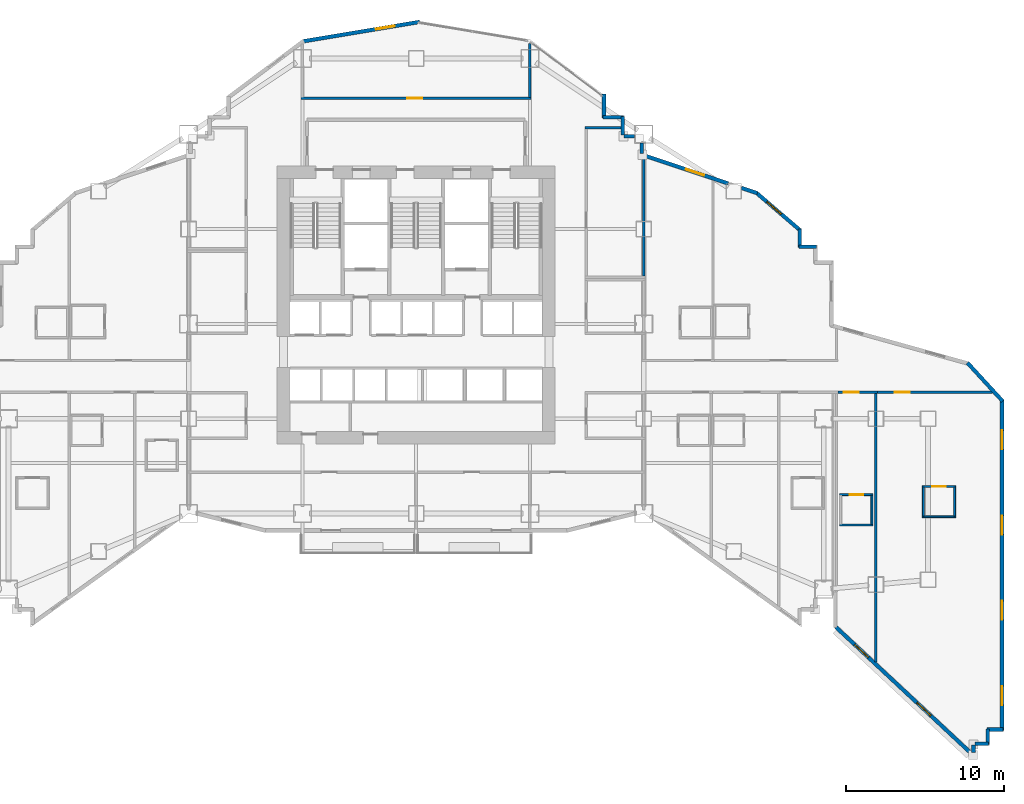
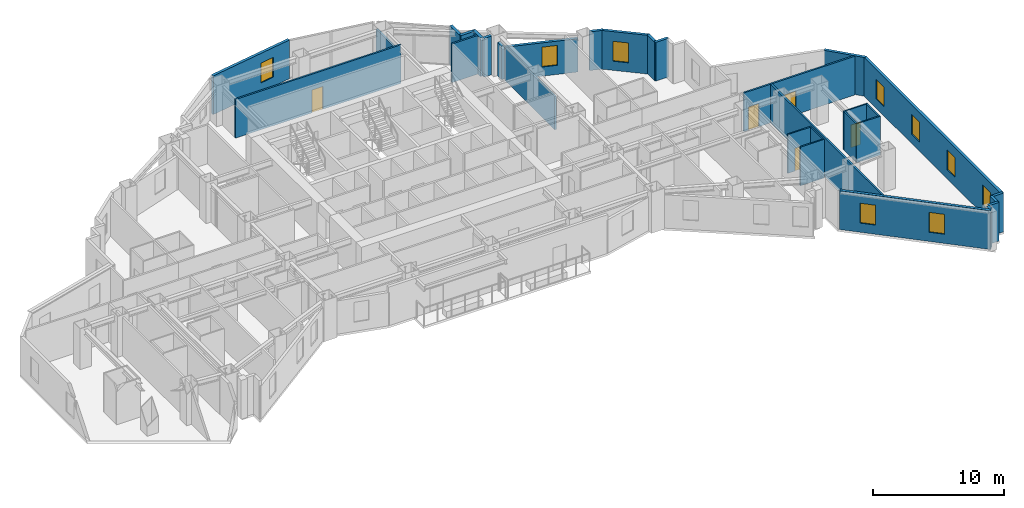
# One storey, part 12 of 16: 32 walls, 9 windows, 5 doors, 14 openings.
"""IFC4 building model written with IfcOpenShell, lengths in metres."""

import ifcopenshell
import ifcopenshell.guid

model = None  # the IFC model being written
_history = None  # IfcOwnerHistory: only IFC2X3 demands one
_inside = {}  # id of a spatial element -> (the spatial element, [elements in it])
_under = {}  # id of a project, library or spatial element -> (it, [spatial elements below it])
_declared = {}  # id of a project -> (the project, [libraries it declares])
_typed = {}  # id of a type object -> (the type object, [elements of that type])
_made_of = {}  # id of a material, layer set ... -> (it, [elements and type objects made of it])


def new_model(schema):
    """Start an empty IFC model of exactly this schema.

    Asked for "IFC4X3", IfcOpenShell would pick the latest addendum, in which some entities
    have other attributes; the version numbers below select the first issue.
    IFC2X3 requires an IfcOwnerHistory on every rooted entity: one is made here for all.
    """
    global model, _history
    if schema == "IFC4X3":
        model = ifcopenshell.file(schema_version=(4, 3, 0, 0))
    else:
        model = ifcopenshell.file(schema=schema)
    _inside.clear()
    _under.clear()
    _declared.clear()
    _typed.clear()
    _made_of.clear()
    _history = None
    if model.schema == "IFC2X3":
        org = make("IfcOrganization", Name="unknown")
        user = make(
            "IfcPersonAndOrganization",
            ThePerson=make("IfcPerson", FamilyName="unknown"),
            TheOrganization=org,
        )
        app = make(
            "IfcApplication",
            ApplicationDeveloper=org,
            Version="unknown",
            ApplicationFullName="unknown",
            ApplicationIdentifier="unknown",
        )
        _history = make(
            "IfcOwnerHistory",
            OwningUser=user,
            OwningApplication=app,
            ChangeAction="ADDED",
            CreationDate=0,
        )
    return model


def make(cls, **values):
    """One entity of the class cls with the attributes given. An attribute that is None is left unset."""
    return model.create_entity(
        cls, **{name: value for name, value in values.items() if value is not None}
    )


def rooted(cls, **values):
    """An entity with a GlobalId (a new one), such as an element, a storey or a relation."""
    return make(cls, GlobalId=ifcopenshell.guid.new(), OwnerHistory=_history, **values)


def si_unit(unit_type, name, prefix=None):
    """IfcSIUnit, for example si_unit("LENGTHUNIT", "METRE", prefix="MILLI")."""
    return make("IfcSIUnit", UnitType=unit_type, Prefix=prefix, Name=name)


def assignment(units):
    """IfcUnitAssignment: the units of a project."""
    return None if units is None else make("IfcUnitAssignment", Units=units)


def point(xyz):
    """IfcCartesianPoint."""
    return None if xyz is None else make("IfcCartesianPoint", Coordinates=xyz)


def direction(xyz):
    """IfcDirection."""
    return None if xyz is None else make("IfcDirection", DirectionRatios=xyz)


def frame(location, z_axis=None, x_axis=None):
    """IfcAxis2Placement3D, a coordinate frame: its origin and axes. An axis left out is left unset."""
    return make(
        "IfcAxis2Placement3D",
        Location=point(location),
        Axis=direction(z_axis),
        RefDirection=direction(x_axis),
    )


def frame_2d(location, x_axis=None):
    """IfcAxis2Placement2D, a coordinate frame in the plane: its origin and x axis."""
    return make(
        "IfcAxis2Placement2D", Location=point(location), RefDirection=direction(x_axis)
    )


def origin():
    """The frame at (0, 0, 0) with its axes left unset."""
    return frame((0.0, 0.0, 0.0))


def place(relative_to, where):
    """IfcLocalPlacement: puts the frame where relative to a parent placement (None: the world)."""
    return make(
        "IfcLocalPlacement", PlacementRelTo=relative_to, RelativePlacement=where
    )


def context(
    kind, dimensions, precision=None, world=None, true_north=None, identifier=None
):
    """IfcGeometricRepresentationContext, for example the 3D "Model" context."""
    return make(
        "IfcGeometricRepresentationContext",
        ContextIdentifier=identifier,
        ContextType=kind,
        CoordinateSpaceDimension=dimensions,
        Precision=precision,
        WorldCoordinateSystem=world,
        TrueNorth=true_north,
    )


def subcontext(parent, identifier, kind, view, scale=None):
    """IfcGeometricRepresentationSubContext, for example "Body" below "Model"."""
    return make(
        "IfcGeometricRepresentationSubContext",
        ContextIdentifier=identifier,
        ContextType=kind,
        ParentContext=parent,
        TargetScale=scale,
        TargetView=view,
    )


def project(units=None, contexts=None):
    """IfcProject with its units and contexts."""
    return rooted(
        "IfcProject",
        Name="project",
        RepresentationContexts=contexts,
        UnitsInContext=assignment(units),
    )


def spatial(cls, under=None, at=None, **own):
    """A site, building, storey or space (cls), placed at a placement, below another one or the project."""
    s = rooted(cls, ObjectPlacement=at, **own)
    if under is not None:
        _under.setdefault(under.id(), (under, []))[1].append(s)
    return s


def profile(cls, at=None, kind="AREA", **sizes):
    """A parametric profile (cls). Its sizes go by their IFC names, for example OverallWidth=200.0."""
    return make(cls, ProfileType=kind, Position=at, **sizes)


def rectangle(**sizes):
    """IfcRectangleProfileDef."""
    return profile("IfcRectangleProfileDef", **sizes)


def extrude(swept, where, along, depth):
    """IfcExtrudedAreaSolid: the profile swept, set in the frame where, extruded along a direction by depth."""
    return make(
        "IfcExtrudedAreaSolid",
        SweptArea=swept,
        Position=where,
        ExtrudedDirection=direction(along),
        Depth=depth,
    )


def shape(context_of_items, identifier, shape_type, items):
    """IfcShapeRepresentation: the items that make up one representation, for example the "Body"."""
    return make(
        "IfcShapeRepresentation",
        ContextOfItems=context_of_items,
        RepresentationIdentifier=identifier,
        RepresentationType=shape_type,
        Items=items,
    )


def material(Name=None, Category=None):
    """IfcMaterial."""
    return make("IfcMaterial", Name=Name, Category=Category)


def layer(
    of_material, thickness, ventilated=None, Name=None, Category=None, Priority=None
):
    """IfcMaterialLayer: one layer of a wall or slab, of a material (None: an air gap)."""
    return make(
        "IfcMaterialLayer",
        Material=of_material,
        LayerThickness=thickness,
        IsVentilated=ventilated,
        Name=Name,
        Category=Category,
        Priority=Priority,
    )


def layer_set(layers, Name=None):
    """IfcMaterialLayerSet."""
    return make("IfcMaterialLayerSet", MaterialLayers=layers, LayerSetName=Name)


def made_of(thing, what):
    """Note that an element or type object is made of a material, layer set ...; save() writes the relation."""
    if what is not None:
        _made_of.setdefault(what.id(), (what, []))[1].append(thing)
    return thing


def type_object(cls, material=None, **own):
    """A type object (cls), such as IfcWallType, which elements share."""
    return made_of(rooted(cls, **own), material)


def element(
    cls,
    number,
    at=None,
    inside=None,
    cuts=None,
    type_object=None,
    material=None,
    context=None,
    identifier="Body",
    shape_type=None,
    held_by="IfcProductDefinitionShape",
    body=None,
    shapes=None,
    **own,
):
    """One element of the class cls, such as IfcWall. Its Tag is "e" and its number.

    at: its placement. inside: the storey or other place that contains it. cuts: it is an
    opening in that element (IfcRelVoidsElement). A single representation is given by context,
    identifier, shape_type and body (its items); several are given by shapes. held_by: the class
    of the entity that holds the representations. save() writes the other relations.
    """
    e = rooted(cls, Tag="e%d" % number, ObjectPlacement=at, **own)
    if body is not None:
        shapes = [shape(context, identifier, shape_type, body)]
    if shapes is not None:
        e.Representation = make(held_by, Representations=shapes)
    if inside is not None:
        _inside.setdefault(inside.id(), (inside, []))[1].append(e)
    if cuts is not None:
        rooted(
            "IfcRelVoidsElement", RelatingBuildingElement=cuts, RelatedOpeningElement=e
        )
    if type_object is not None:
        _typed.setdefault(type_object.id(), (type_object, []))[1].append(e)
    return made_of(e, material)


def fill(opening, filler):
    """IfcRelFillsElement: the door or window that sits in an opening."""
    return rooted(
        "IfcRelFillsElement",
        RelatingOpeningElement=opening,
        RelatedBuildingElement=filler,
    )


def aggregate(whole, parts):
    """IfcRelAggregates: a whole, such as a stair, and the parts it consists of."""
    return rooted("IfcRelAggregates", RelatingObject=whole, RelatedObjects=parts)


def save(model, path):
    """Write the relations noted so far, then the file.

    IfcRelAggregates (storeys below a building ...), IfcRelContainedInSpatialStructure (elements
    in a storey), IfcRelDefinesByType, IfcRelAssociatesMaterial and IfcRelDeclares: one each for
    every whole, place, type object, material and project.
    """
    for whole, parts in _under.values():
        aggregate(whole, parts)
    for where, things in _inside.values():
        rooted(
            "IfcRelContainedInSpatialStructure",
            RelatedElements=things,
            RelatingStructure=where,
        )
    for kind, things in _typed.values():
        rooted("IfcRelDefinesByType", RelatedObjects=things, RelatingType=kind)
    for what, things in _made_of.values():
        rooted("IfcRelAssociatesMaterial", RelatedObjects=things, RelatingMaterial=what)
    for by, libraries in _declared.values():
        rooted("IfcRelDeclares", RelatingContext=by, RelatedDefinitions=libraries)
    model.write(path)


model = new_model("IFC4")

# Units and contexts
model_context = context("Model", 3, precision=1e-05, world=origin(), true_north=direction((0.0, 1.0)))
body_context = subcontext(model_context, "Body", "Model", "MODEL_VIEW")
ifc_project = project(units=[si_unit("LENGTHUNIT", "METRE"), si_unit("AREAUNIT", "SQUARE_METRE"), si_unit("VOLUMEUNIT", "CUBIC_METRE"), si_unit("PLANEANGLEUNIT", "RADIAN"), si_unit("MASSUNIT", "GRAM", prefix="KILO")], contexts=[model_context])

# Site, building, storey
site_placement = place(None, origin())
site = spatial("IfcSite", under=ifc_project, at=site_placement, CompositionType="ELEMENT")
building_placement = place(site_placement, origin())
building = spatial("IfcBuilding", under=site, at=building_placement, Name="Haolan Belvedere Tower", CompositionType="ELEMENT")
storey_placement = place(building_placement, frame((0.0, 0.0, 62.800048828125)))
storey = spatial("IfcBuildingStorey", under=building, at=storey_placement, Name="L15", CompositionType="ELEMENT", Elevation=62.800048828125)

# Wall, openings, windows
ifc_material_1 = material(Name="Precast concrete C40/50", Category="concrete")
ifc_layer_1 = layer(ifc_material_1, 0.239990234375, Name="Precast concrete C40/50")
ifc_layer_set_1 = layer_set([ifc_layer_1], Name="Precast concrete C40/50")
wall_type_1 = type_object("IfcWallType", Name="WL-EXT-240", PredefinedType="SOLIDWALL", material=ifc_layer_set_1)
wall_1_placement = place(storey_placement, frame((64.978515625, 14.3974609375, 0.0), z_axis=(0.0, 0.0, 1.0), x_axis=(0.731053894258, -0.682319722484, 0.0)))
wall_1 = element("IfcWall", 1, at=wall_1_placement, inside=storey, type_object=wall_type_1, Name="L15 pale-metal exterior spandrel wall 21.1", PredefinedType="SOLIDWALL", context=body_context, shape_type="SweptSolid", body=[
    extrude(rectangle(XDim=11.817626953125, YDim=0.239990234375, at=frame_2d((5.90869140625, 0.0))), origin(), (0.0, 0.0, 1.0), 3.599853515625),
])
opening_1_placement = place(wall_1_placement, frame((1.60009765625, 0.0, 0.85009765625)))
opening_1 = element("IfcOpeningElement", 2, at=opening_1_placement, cuts=wall_1, Name="Opening W-01", PredefinedType="OPENING", context=body_context, shape_type="SweptSolid", body=[
    extrude(rectangle(XDim=1.199951171875, YDim=1.85009765625, at=frame_2d((0.60009765625, 0.925048828125))), frame((0.0, 0.1298828125, 0.0), z_axis=(0.0, -1.0, 0.0), x_axis=(1.0, 0.0, 0.0)), (0.0, 0.0, 1.0), 0.260009765625),
])
opening_2_placement = place(wall_1_placement, frame((7.0, 0.0, 0.85009765625)))
opening_2 = element("IfcOpeningElement", 3, at=opening_2_placement, cuts=wall_1, Name="Opening W-01", PredefinedType="OPENING", context=body_context, shape_type="SweptSolid", body=[
    extrude(rectangle(XDim=1.199951171875, YDim=1.85009765625, at=frame_2d((0.60009765625, 0.925048828125))), frame((0.0, 0.1298828125, 0.0), z_axis=(0.0, -1.0, 0.0), x_axis=(1.0, 0.0, 0.0)), (0.0, 0.0, 1.0), 0.260009765625),
])
ifc_material_2 = material(Name="Anodised aluminium 6063-T6 and Low-E glass", Category="aluminium")
window_type = type_object("IfcWindowType", Name="WN-DECO-Z1", PartitioningType="SINGLE_PANEL", PredefinedType="WINDOW", material=ifc_material_2)
window_1_placement = place(opening_1_placement, origin())
window_1 = element("IfcWindow", 4, at=window_1_placement, inside=storey, type_object=window_type, Name="L15 Art Deco chevron window 1", OverallHeight=1.85009765625, OverallWidth=1.199951171875, PartitioningType="SINGLE_PANEL", PredefinedType="WINDOW", context=body_context, shape_type="SweptSolid", body=[
    extrude(rectangle(XDim=1.199951171875, YDim=1.85009765625, at=frame_2d((0.60009765625, 0.925048828125))), frame((0.0, 0.030029296875, 0.0), z_axis=(0.0, -1.0, 0.0), x_axis=(1.0, 0.0, 0.0)), (0.0, 0.0, 1.0), 0.06005859375),
])
fill(opening_1, window_1)
window_2_placement = place(opening_2_placement, origin())
window_2 = element("IfcWindow", 5, at=window_2_placement, inside=storey, type_object=window_type, Name="L15 Art Deco chevron window 2", OverallHeight=1.85009765625, OverallWidth=1.199951171875, PartitioningType="SINGLE_PANEL", PredefinedType="WINDOW", context=body_context, shape_type="SweptSolid", body=[
    extrude(rectangle(XDim=1.199951171875, YDim=1.85009765625, at=frame_2d((0.60009765625, 0.925048828125))), frame((0.0, 0.030029296875, 0.0), z_axis=(0.0, -1.0, 0.0), x_axis=(1.0, 0.0, 0.0)), (0.0, 0.0, 1.0), 0.06005859375),
])
fill(opening_2, window_2)

# Walls
wall_2_placement = place(storey_placement, frame((73.679931640625, 6.481201171875, 0.0), z_axis=(0.0, 0.0, 1.0), x_axis=(0.0, 1.0, 0.0)))
element("IfcWall", 6, at=wall_2_placement, inside=storey, type_object=wall_type_1, Name="L15 pale-metal exterior spandrel wall 22.1", PredefinedType="SOLIDWALL", context=body_context, shape_type="SweptSolid", body=[
    extrude(rectangle(XDim=0.453857421875, YDim=0.239990234375, at=frame_2d((0.22705078125, 0.0))), origin(), (0.0, 0.0, 1.0), 3.599853515625),
])
wall_3_placement = place(storey_placement, frame((73.764892578125, 7.02001953125, 0.0), z_axis=(0.0, 0.0, 1.0), x_axis=(1.0, 0.0, 0.0)))
element("IfcWall", 7, at=wall_3_placement, inside=storey, type_object=wall_type_1, Name="L15 pale-metal exterior spandrel wall 23.1", PredefinedType="SOLIDWALL", context=body_context, shape_type="SweptSolid", body=[
    extrude(rectangle(XDim=0.8701171875, YDim=0.239990234375, at=frame_2d((0.43505859375, 0.0))), origin(), (0.0, 0.0, 1.0), 3.599853515625),
])
for number, where, z_axis, x_axis, name in (
    (8, (74.580078125, 6.965087890625, 0.0), (0.0, 0.0, 1.0), (0.0, 1.0, 0.0), "L15 pale-metal exterior spandrel wall 24.1"),
    (9, (74.52490234375, 7.919921875, 0.0), (0.0, 0.0, 1.0), (1.0, 0.0, 0.0), "L15 pale-metal exterior spandrel wall 25.1"),
):
    element("IfcWall", number, at=place(storey_placement, frame(where, z_axis=z_axis, x_axis=x_axis)), inside=storey, type_object=wall_type_1, Name=name, PredefinedType="SOLIDWALL", context=body_context, shape_type="SweptSolid", body=[
        extrude(rectangle(XDim=1.010009765625, YDim=0.239990234375, at=frame_2d((0.5048828125, 0.0))), origin(), (0.0, 0.0, 1.0), 3.599853515625),
    ])

# Wall, openings, windows
wall_4_placement = place(storey_placement, frame((75.47998046875, 7.864990234375, 0.0), z_axis=(0.0, 0.0, 1.0), x_axis=(0.0, 1.0, 0.0)))
wall_4 = element("IfcWall", 10, at=wall_4_placement, inside=storey, type_object=wall_type_1, Name="L15 pale-metal exterior spandrel wall 26.1", PredefinedType="SOLIDWALL", context=body_context, shape_type="SweptSolid", body=[
    extrude(rectangle(XDim=20.943359375, YDim=0.239990234375, at=frame_2d((10.4716796875, 0.0))), origin(), (0.0, 0.0, 1.0), 3.599853515625),
])
opening_3_placement = place(wall_4_placement, frame((1.60009765625, 0.0, 0.85009765625)))
opening_3 = element("IfcOpeningElement", 11, at=opening_3_placement, cuts=wall_4, Name="Opening W-01", PredefinedType="OPENING", context=body_context, shape_type="SweptSolid", body=[
    extrude(rectangle(XDim=1.199951171875, YDim=1.85009765625, at=frame_2d((0.60009765625, 0.925048828125))), frame((0.0, 0.1298828125, 0.0), z_axis=(0.0, -1.0, 0.0), x_axis=(1.0, 0.0, 0.0)), (0.0, 0.0, 1.0), 0.260009765625),
])
opening_4_placement = place(wall_4_placement, frame((7.0, 0.0, 0.85009765625)))
opening_4 = element("IfcOpeningElement", 12, at=opening_4_placement, cuts=wall_4, Name="Opening W-01", PredefinedType="OPENING", context=body_context, shape_type="SweptSolid", body=[
    extrude(rectangle(XDim=1.199951171875, YDim=1.85009765625, at=frame_2d((0.60009765625, 0.925048828125))), frame((0.0, 0.1298828125, 0.0), z_axis=(0.0, -1.0, 0.0), x_axis=(1.0, 0.0, 0.0)), (0.0, 0.0, 1.0), 0.260009765625),
])
opening_5_placement = place(wall_4_placement, frame((12.39990234375, 0.0, 0.85009765625)))
opening_5 = element("IfcOpeningElement", 13, at=opening_5_placement, cuts=wall_4, Name="Opening W-01", PredefinedType="OPENING", context=body_context, shape_type="SweptSolid", body=[
    extrude(rectangle(XDim=1.199951171875, YDim=1.85009765625, at=frame_2d((0.60009765625, 0.925048828125))), frame((0.0, 0.1298828125, 0.0), z_axis=(0.0, -1.0, 0.0), x_axis=(1.0, 0.0, 0.0)), (0.0, 0.0, 1.0), 0.260009765625),
])
opening_6_placement = place(wall_4_placement, frame((17.800048828125, 0.0, 0.85009765625)))
opening_6 = element("IfcOpeningElement", 14, at=opening_6_placement, cuts=wall_4, Name="Opening W-01", PredefinedType="OPENING", context=body_context, shape_type="SweptSolid", body=[
    extrude(rectangle(XDim=1.199951171875, YDim=1.85009765625, at=frame_2d((0.60009765625, 0.925048828125))), frame((0.0, 0.1298828125, 0.0), z_axis=(0.0, -1.0, 0.0), x_axis=(1.0, 0.0, 0.0)), (0.0, 0.0, 1.0), 0.260009765625),
])
window_3_placement = place(opening_3_placement, origin())
window_3 = element("IfcWindow", 15, at=window_3_placement, inside=storey, type_object=window_type, Name="L15 Art Deco chevron window 1", OverallHeight=1.85009765625, OverallWidth=1.199951171875, PartitioningType="SINGLE_PANEL", PredefinedType="WINDOW", context=body_context, shape_type="SweptSolid", body=[
    extrude(rectangle(XDim=1.199951171875, YDim=1.85009765625, at=frame_2d((0.60009765625, 0.925048828125))), frame((0.0, 0.030029296875, 0.0), z_axis=(0.0, -1.0, 0.0), x_axis=(1.0, 0.0, 0.0)), (0.0, 0.0, 1.0), 0.06005859375),
])
fill(opening_3, window_3)
window_4_placement = place(opening_4_placement, origin())
window_4 = element("IfcWindow", 16, at=window_4_placement, inside=storey, type_object=window_type, Name="L15 Art Deco chevron window 2", OverallHeight=1.85009765625, OverallWidth=1.199951171875, PartitioningType="SINGLE_PANEL", PredefinedType="WINDOW", context=body_context, shape_type="SweptSolid", body=[
    extrude(rectangle(XDim=1.199951171875, YDim=1.85009765625, at=frame_2d((0.60009765625, 0.925048828125))), frame((0.0, 0.030029296875, 0.0), z_axis=(0.0, -1.0, 0.0), x_axis=(1.0, 0.0, 0.0)), (0.0, 0.0, 1.0), 0.06005859375),
])
fill(opening_4, window_4)
window_5_placement = place(opening_5_placement, origin())
window_5 = element("IfcWindow", 17, at=window_5_placement, inside=storey, type_object=window_type, Name="L15 Art Deco chevron window 3", OverallHeight=1.85009765625, OverallWidth=1.199951171875, PartitioningType="SINGLE_PANEL", PredefinedType="WINDOW", context=body_context, shape_type="SweptSolid", body=[
    extrude(rectangle(XDim=1.199951171875, YDim=1.85009765625, at=frame_2d((0.60009765625, 0.925048828125))), frame((0.0, 0.030029296875, 0.0), z_axis=(0.0, -1.0, 0.0), x_axis=(1.0, 0.0, 0.0)), (0.0, 0.0, 1.0), 0.06005859375),
])
fill(opening_5, window_5)
window_6_placement = place(opening_6_placement, origin())
window_6 = element("IfcWindow", 18, at=window_6_placement, inside=storey, type_object=window_type, Name="L15 Art Deco chevron window 4", OverallHeight=1.85009765625, OverallWidth=1.199951171875, PartitioningType="SINGLE_PANEL", PredefinedType="WINDOW", context=body_context, shape_type="SweptSolid", body=[
    extrude(rectangle(XDim=1.199951171875, YDim=1.85009765625, at=frame_2d((0.60009765625, 0.925048828125))), frame((0.0, 0.030029296875, 0.0), z_axis=(0.0, -1.0, 0.0), x_axis=(1.0, 0.0, 0.0)), (0.0, 0.0, 1.0), 0.06005859375),
])
fill(opening_6, window_6)

# Walls
wall_5_placement = place(storey_placement, frame((75.51708984375, 28.712890625, 0.0), z_axis=(0.0, 0.0, 1.0), x_axis=(-0.67574145796, 0.737138712858, 0.0)))
element("IfcWall", 19, at=wall_5_placement, inside=storey, type_object=wall_type_1, Name="L15 pale-metal exterior spandrel wall 27.1", PredefinedType="SOLIDWALL", context=body_context, shape_type="SweptSolid", body=[
    extrude(rectangle(XDim=3.284423828125, YDim=0.239990234375, at=frame_2d((1.64208984375, 0.0))), origin(), (0.0, 0.0, 1.0), 3.599853515625),
])
wall_6_placement = place(storey_placement, frame((63.735107421875, 38.47998046875, 0.0), z_axis=(0.0, 0.0, 1.0), x_axis=(-1.0, 0.0, 0.0)))
element("IfcWall", 20, at=wall_6_placement, inside=storey, type_object=wall_type_1, Name="L15 pale-metal exterior spandrel wall 32.1", PredefinedType="SOLIDWALL", context=body_context, shape_type="SweptSolid", body=[
    extrude(rectangle(XDim=1.110107421875, YDim=0.239990234375, at=frame_2d((0.55517578125, 0.0))), origin(), (0.0, 0.0, 1.0), 3.599853515625),
])
wall_7_placement = place(storey_placement, frame((62.679931640625, 38.425048828125, 0.0), z_axis=(0.0, 0.0, 1.0), x_axis=(0.0, 1.0, 0.0)))
element("IfcWall", 21, at=wall_7_placement, inside=storey, type_object=wall_type_1, Name="L15 pale-metal exterior spandrel wall 33.1", PredefinedType="SOLIDWALL", context=body_context, shape_type="SweptSolid", body=[
    extrude(rectangle(XDim=1.1748046875, YDim=0.239990234375, at=frame_2d((0.58740234375, 0.0))), origin(), (0.0, 0.0, 1.0), 3.599853515625),
])

# Wall, opening, window
wall_8_placement = place(storey_placement, frame((62.7216796875, 39.509033203125, 0.0), z_axis=(0.0, 0.0, 1.0), x_axis=(-0.759247334792, 0.650802185469, 0.0)))
wall_8 = element("IfcWall", 22, at=wall_8_placement, inside=storey, type_object=wall_type_1, Name="L15 pale-metal exterior spandrel wall 34.1", PredefinedType="SOLIDWALL", context=body_context, shape_type="SweptSolid", body=[
    extrude(rectangle(XDim=3.71923828125, YDim=0.239990234375, at=frame_2d((1.859619140625, 0.0))), origin(), (0.0, 0.0, 1.0), 3.599853515625),
])
opening_7_placement = place(wall_8_placement, frame((1.60009765625, 0.0, 0.85009765625)))
opening_7 = element("IfcOpeningElement", 23, at=opening_7_placement, cuts=wall_8, Name="Opening W-01", PredefinedType="OPENING", context=body_context, shape_type="SweptSolid", body=[
    extrude(rectangle(XDim=1.199951171875, YDim=1.85009765625, at=frame_2d((0.60009765625, 0.925048828125))), frame((0.0, 0.1298828125, 0.0), z_axis=(0.0, -1.0, 0.0), x_axis=(1.0, 0.0, 0.0)), (0.0, 0.0, 1.0), 0.260009765625),
])
window_7_placement = place(opening_7_placement, origin())
window_7 = element("IfcWindow", 24, at=window_7_placement, inside=storey, type_object=window_type, Name="L15 Art Deco chevron window 1", OverallHeight=1.85009765625, OverallWidth=1.199951171875, PartitioningType="SINGLE_PANEL", PredefinedType="WINDOW", context=body_context, shape_type="SweptSolid", body=[
    extrude(rectangle(XDim=1.199951171875, YDim=1.85009765625, at=frame_2d((0.60009765625, 0.925048828125))), frame((0.0, 0.030029296875, 0.0), z_axis=(0.0, -1.0, 0.0), x_axis=(1.0, 0.0, 0.0)), (0.0, 0.0, 1.0), 0.06005859375),
])
fill(opening_7, window_7)

# Wall
wall_9_placement = place(storey_placement, frame((59.991943359375, 41.876220703125, 0.0), z_axis=(0.0, 0.0, 1.0), x_axis=(-0.948706457285, 0.316158279832, 0.0)))
element("IfcWall", 25, at=wall_9_placement, inside=storey, type_object=wall_type_1, Name="L15 pale-metal exterior spandrel wall 35.1", PredefinedType="SOLIDWALL", context=body_context, shape_type="SweptSolid", body=[
    extrude(rectangle(XDim=1.053955078125, YDim=0.239990234375, at=frame_2d((0.52685546875, 0.0))), origin(), (0.0, 0.0, 1.0), 3.599853515625),
])

# Wall, opening, window
wall_10_placement = place(storey_placement, frame((58.14453125, 42.491943359375, 0.0), z_axis=(0.0, 0.0, 1.0), x_axis=(-0.948683298051, 0.316227766017, 0.0)))
wall_10 = element("IfcWall", 26, at=wall_10_placement, inside=storey, type_object=wall_type_1, Name="L15 pale-metal exterior spandrel wall 35.2", PredefinedType="SOLIDWALL", context=body_context, shape_type="SweptSolid", body=[
    extrude(rectangle(XDim=5.67529296875, YDim=0.239990234375, at=frame_2d((2.837646484375, 0.0))), origin(), (0.0, 0.0, 1.0), 3.096923828125),
])
opening_8_placement = place(wall_10_placement, frame((1.60009765625, 0.0, 0.85009765625)))
opening_8 = element("IfcOpeningElement", 27, at=opening_8_placement, cuts=wall_10, Name="Opening W-01", PredefinedType="OPENING", context=body_context, shape_type="SweptSolid", body=[
    extrude(rectangle(XDim=1.199951171875, YDim=1.85009765625, at=frame_2d((0.60009765625, 0.925048828125))), frame((0.0, 0.1298828125, 0.0), z_axis=(0.0, -1.0, 0.0), x_axis=(1.0, 0.0, 0.0)), (0.0, 0.0, 1.0), 0.260009765625),
])
window_8_placement = place(opening_8_placement, origin())
window_8 = element("IfcWindow", 28, at=window_8_placement, inside=storey, type_object=window_type, Name="L15 Art Deco chevron window 1", OverallHeight=1.85009765625, OverallWidth=1.199951171875, PartitioningType="SINGLE_PANEL", PredefinedType="WINDOW", context=body_context, shape_type="SweptSolid", body=[
    extrude(rectangle(XDim=1.199951171875, YDim=1.85009765625, at=frame_2d((0.60009765625, 0.925048828125))), frame((0.0, 0.030029296875, 0.0), z_axis=(0.0, -1.0, 0.0), x_axis=(1.0, 0.0, 0.0)), (0.0, 0.0, 1.0), 0.06005859375),
])
fill(opening_8, window_8)

# Walls
wall_11_placement = place(storey_placement, frame((52.679931640625, 44.3984375, 0.0), z_axis=(0.0, 0.0, 1.0), x_axis=(0.0, 1.0, 0.0)))
element("IfcWall", 29, at=wall_11_placement, inside=storey, type_object=wall_type_1, Name="L15 pale-metal exterior spandrel wall 36.1", PredefinedType="SOLIDWALL", context=body_context, shape_type="SweptSolid", body=[
    extrude(rectangle(XDim=0.634521484375, YDim=0.239990234375, at=frame_2d((0.3173828125, 0.0))), origin(), (0.0, 0.0, 1.0), 3.096923828125),
])
wall_12_placement = place(storey_placement, frame((52.23291015625, 45.47998046875, 0.0), z_axis=(0.0, 0.0, 1.0), x_axis=(-1.0, 0.0, 0.0)))
element("IfcWall", 30, at=wall_12_placement, inside=storey, type_object=wall_type_1, Name="L15 pale-metal exterior spandrel wall 37.1", PredefinedType="SOLIDWALL", context=body_context, shape_type="SweptSolid", body=[
    extrude(rectangle(XDim=0.66796875, YDim=0.239990234375, at=frame_2d((0.333984375, 0.0))), origin(), (0.0, 0.0, 1.0), 3.599853515625),
])
wall_13_placement = place(storey_placement, frame((51.47998046875, 45.56494140625, 0.0), z_axis=(0.0, 0.0, 1.0), x_axis=(0.0, 1.0, 0.0)))
element("IfcWall", 31, at=wall_13_placement, inside=storey, type_object=wall_type_1, Name="L15 pale-metal exterior spandrel wall 38.1", PredefinedType="SOLIDWALL", context=body_context, shape_type="SweptSolid", body=[
    extrude(rectangle(XDim=1.170166015625, YDim=0.239990234375, at=frame_2d((0.5849609375, 0.0))), origin(), (0.0, 0.0, 1.0), 3.599853515625),
])
wall_14_placement = place(storey_placement, frame((51.534912109375, 46.679931640625, 0.0), z_axis=(0.0, 0.0, 1.0), x_axis=(-1.0, 0.0, 0.0)))
element("IfcWall", 32, at=wall_14_placement, inside=storey, type_object=wall_type_1, Name="L15 pale-metal exterior spandrel wall 39.1", PredefinedType="SOLIDWALL", context=body_context, shape_type="SweptSolid", body=[
    extrude(rectangle(XDim=1.309814453125, YDim=0.239990234375, at=frame_2d((0.65478515625, 0.0))), origin(), (0.0, 0.0, 1.0), 3.599853515625),
])
wall_15_placement = place(storey_placement, frame((50.280029296875, 46.625, 0.0), z_axis=(0.0, 0.0, 1.0), x_axis=(0.0, 1.0, 0.0)))
element("IfcWall", 33, at=wall_15_placement, inside=storey, type_object=wall_type_1, Name="L15 pale-metal exterior spandrel wall 40.1", PredefinedType="SOLIDWALL", context=body_context, shape_type="SweptSolid", body=[
    extrude(rectangle(XDim=1.5400390625, YDim=0.239990234375, at=frame_2d((0.77001953125, 0.0))), origin(), (0.0, 0.0, 1.0), 3.599853515625),
])

# Wall, opening, window
wall_16_placement = place(storey_placement, frame((38.621826171875, 52.71533203125, 0.0), z_axis=(0.0, 0.0, 1.0), x_axis=(-0.98639129485, -0.164414760418, 0.0)))
wall_16 = element("IfcWall", 34, at=wall_16_placement, inside=storey, type_object=wall_type_1, Name="L15 pale-metal exterior spandrel wall 43.1", PredefinedType="SOLIDWALL", context=body_context, shape_type="SweptSolid", body=[
    extrude(rectangle(XDim=7.530029296875, YDim=0.239990234375, at=frame_2d((3.76513671875, 0.0))), origin(), (0.0, 0.0, 1.0), 3.599853515625),
])
opening_9_placement = place(wall_16_placement, frame((1.60009765625, 0.0, 0.85009765625)))
opening_9 = element("IfcOpeningElement", 35, at=opening_9_placement, cuts=wall_16, Name="Opening W-01", PredefinedType="OPENING", context=body_context, shape_type="SweptSolid", body=[
    extrude(rectangle(XDim=1.199951171875, YDim=1.85009765625, at=frame_2d((0.60009765625, 0.925048828125))), frame((0.0, 0.1298828125, 0.0), z_axis=(0.0, -1.0, 0.0), x_axis=(1.0, 0.0, 0.0)), (0.0, 0.0, 1.0), 0.260009765625),
])
window_9_placement = place(opening_9_placement, origin())
window_9 = element("IfcWindow", 36, at=window_9_placement, inside=storey, type_object=window_type, Name="L15 Art Deco chevron window 1", OverallHeight=1.85009765625, OverallWidth=1.199951171875, PartitioningType="SINGLE_PANEL", PredefinedType="WINDOW", context=body_context, shape_type="SweptSolid", body=[
    extrude(rectangle(XDim=1.199951171875, YDim=1.85009765625, at=frame_2d((0.60009765625, 0.925048828125))), frame((0.0, 0.030029296875, 0.0), z_axis=(0.0, -1.0, 0.0), x_axis=(1.0, 0.0, 0.0)), (0.0, 0.0, 1.0), 0.06005859375),
])
fill(opening_9, window_9)

# Walls
ifc_material_3 = material(Name="Double gypsum acoustic stud partition", Category="masonry")
ifc_layer_2 = layer(ifc_material_3, 0.14990234375, Name="Double gypsum acoustic stud partition")
ifc_layer_set_2 = layer_set([ifc_layer_2], Name="Double gypsum acoustic stud partition")
wall_type_2 = type_object("IfcWallType", Name="WL-PART-150", PredefinedType="PARTITIONING", material=ifc_layer_set_2)
wall_17_placement = place(storey_placement, frame((49.080078125, 46.02001953125, 0.0), z_axis=(0.0, 0.0, 1.0), x_axis=(1.0, 0.0, 0.0)))
element("IfcWall", 37, at=wall_17_placement, inside=storey, type_object=wall_type_2, Name="L15 interior partition IW-L15-SAL-N", PredefinedType="PARTITIONING", context=body_context, shape_type="SweptSolid", body=[
    extrude(rectangle(XDim=2.294921875, YDim=0.14990234375, at=frame_2d((1.1474609375, 0.0))), origin(), (0.0, 0.0, 1.0), 3.599853515625),
])
wall_18_placement = place(storey_placement, frame((52.800048828125, 36.6201171875, 0.0), z_axis=(0.0, 0.0, 1.0), x_axis=(0.0, 1.0, 0.0)))
element("IfcWall", 38, at=wall_18_placement, inside=storey, type_object=wall_type_2, Name="L15 interior partition IW-L15-SAL-E", PredefinedType="PARTITIONING", context=body_context, shape_type="SweptSolid", body=[
    extrude(rectangle(XDim=7.542724609375, YDim=0.14990234375, at=frame_2d((3.771484375, 0.0))), origin(), (0.0, 0.0, 1.0), 3.096923828125),
])

# Wall, opening, door
wall_19_placement = place(storey_placement, frame((31.1201171875, 47.8798828125, 0.0), z_axis=(0.0, 0.0, 1.0), x_axis=(1.0, 0.0, 0.0)))
wall_19 = element("IfcWall", 39, at=wall_19_placement, inside=storey, type_object=wall_type_2, Name="L15 interior partition IW-L15-KN2-S", PredefinedType="PARTITIONING", context=body_context, shape_type="SweptSolid", body=[
    extrude(rectangle(XDim=14.559814453125, YDim=0.14990234375, at=frame_2d((7.27978515625, 0.0))), origin(), (0.0, 0.0, 1.0), 3.599853515625),
])
opening_10_placement = place(wall_19_placement, frame((6.72509765625, 0.0, 0.0)))
opening_10 = element("IfcOpeningElement", 40, at=opening_10_placement, cuts=wall_19, Name="Opening ID-03", PredefinedType="OPENING", context=body_context, shape_type="SweptSolid", body=[
    extrude(rectangle(XDim=0.949951171875, YDim=2.1201171875, at=frame_2d((0.47509765625, 1.06005859375))), frame((0.0, 0.0849609375, 0.0), z_axis=(0.0, -1.0, 0.0), x_axis=(1.0, 0.0, 0.0)), (0.0, 0.0, 1.0), 0.169921875),
])
ifc_material_4 = material(Name="Painted solid-core timber", Category="wood")
door_type_1 = type_object("IfcDoorType", Name="DR-INT-950", OperationType="NOTDEFINED", PredefinedType="DOOR", material=ifc_material_4)
door_1_placement = place(opening_10_placement, origin())
door_1 = element("IfcDoor", 41, at=door_1_placement, inside=storey, type_object=door_type_1, Name="L15 door ID-L15-KN2", OperationType="SINGLE_SWING_LEFT", OverallHeight=2.1201171875, OverallWidth=0.949951171875, PredefinedType="DOOR", context=body_context, shape_type="SweptSolid", body=[
    extrude(rectangle(XDim=0.949951171875, YDim=2.1201171875, at=frame_2d((0.47509765625, 1.06005859375))), frame((0.0, 0.02490234375, 0.0), z_axis=(0.0, -1.0, 0.0), x_axis=(1.0, 0.0, 0.0)), (0.0, 0.0, 1.0), 0.050048828125),
])
fill(opening_10, door_1)

# Wall
wall_20_placement = place(storey_placement, frame((45.60009765625, 47.93994140625, 0.0), z_axis=(0.0, 0.0, 1.0), x_axis=(0.0, 1.0, 0.0)))
element("IfcWall", 42, at=wall_20_placement, inside=storey, type_object=wall_type_2, Name="L15 interior partition IW-L15-KN2-E", PredefinedType="PARTITIONING", context=body_context, shape_type="SweptSolid", body=[
    extrude(rectangle(XDim=3.39501953125, YDim=0.14990234375, at=frame_2d((1.697509765625, 0.0))), origin(), (0.0, 0.0, 1.0), 2.98486328125),
])

# Wall, opening, door
wall_21_placement = place(storey_placement, frame((65.10205078125, 29.27001953125, 0.0), z_axis=(0.0, 0.0, 1.0), x_axis=(1.0, 0.0, 0.0)))
wall_21 = element("IfcWall", 43, at=wall_21_placement, inside=storey, type_object=wall_type_2, Name="L15 interior partition IW-L15-T5S1-N", PredefinedType="PARTITIONING", context=body_context, shape_type="SweptSolid", body=[
    extrude(rectangle(XDim=2.498046875, YDim=0.14990234375, at=frame_2d((1.2490234375, 0.0))), origin(), (0.0, 0.0, 1.0), 3.599853515625),
])
opening_11_placement = place(wall_21_placement, frame((1.311767578125, 0.0, 0.0), z_axis=(0.0, 0.0, 1.0), x_axis=(-1.0, 0.0, 0.0)))
opening_11 = element("IfcOpeningElement", 44, at=opening_11_placement, cuts=wall_21, Name="Opening ID-02", PredefinedType="OPENING", context=body_context, shape_type="SweptSolid", body=[
    extrude(rectangle(XDim=0.949951171875, YDim=2.14990234375, at=frame_2d((0.47509765625, 1.074951171875))), frame((0.0, 0.0849609375, 0.0), z_axis=(0.0, -1.0, 0.0), x_axis=(1.0, 0.0, 0.0)), (0.0, 0.0, 1.0), 0.169921875),
])
ifc_material_5 = material(Name="Acoustic oak veneer fire-rated timber", Category="wood")
door_type_2 = type_object("IfcDoorType", Name="DR-GUEST-950", OperationType="NOTDEFINED", PredefinedType="DOOR", material=ifc_material_5)
door_2_placement = place(opening_11_placement, origin())
door_2 = element("IfcDoor", 45, at=door_2_placement, inside=storey, type_object=door_type_2, Name="L15 door ID-L15-T5S1-ENT", OperationType="SINGLE_SWING_RIGHT", OverallHeight=2.14990234375, OverallWidth=0.949951171875, PredefinedType="DOOR", context=body_context, shape_type="SweptSolid", body=[
    extrude(rectangle(XDim=0.949951171875, YDim=2.14990234375, at=frame_2d((0.47509765625, 1.074951171875))), frame((0.0, 0.02490234375, 0.0), z_axis=(0.0, -1.0, 0.0), x_axis=(1.0, 0.0, 0.0)), (0.0, 0.0, 1.0), 0.050048828125),
])
fill(opening_11, door_2)

# Wall
wall_22_placement = place(storey_placement, frame((67.5, 12.187744140625, 0.0), z_axis=(0.0, 0.0, 1.0), x_axis=(0.0, 1.0, 0.0)))
element("IfcWall", 46, at=wall_22_placement, inside=storey, type_object=wall_type_2, Name="L15 interior partition IW-L15-T5S1-E", PredefinedType="PARTITIONING", context=body_context, shape_type="SweptSolid", body=[
    extrude(rectangle(XDim=17.022216796875, YDim=0.14990234375, at=frame_2d((8.51123046875, 0.0))), origin(), (0.0, 0.0, 1.0), 3.599853515625),
])

# Wall, opening, door
wall_23_placement = place(storey_placement, frame((67.60205078125, 29.27001953125, 0.0), z_axis=(0.0, 0.0, 1.0), x_axis=(1.0, 0.0, 0.0)))
wall_23 = element("IfcWall", 47, at=wall_23_placement, inside=storey, type_object=wall_type_2, Name="L15 interior partition IW-L15-T5S2-N", PredefinedType="PARTITIONING", context=body_context, shape_type="SweptSolid", body=[
    extrude(rectangle(XDim=7.261962890625, YDim=0.14990234375, at=frame_2d((3.630859375, 0.0))), origin(), (0.0, 0.0, 1.0), 3.599853515625),
])
opening_12_placement = place(wall_23_placement, frame((2.0439453125, 0.0, 0.0), z_axis=(0.0, 0.0, 1.0), x_axis=(-1.0, 0.0, 0.0)))
opening_12 = element("IfcOpeningElement", 48, at=opening_12_placement, cuts=wall_23, Name="Opening ID-01", PredefinedType="OPENING", context=body_context, shape_type="SweptSolid", body=[
    extrude(rectangle(XDim=0.949951171875, YDim=2.179931640625, at=frame_2d((0.47509765625, 1.08984375))), frame((0.0, 0.0849609375, 0.0), z_axis=(0.0, -1.0, 0.0), x_axis=(1.0, 0.0, 0.0)), (0.0, 0.0, 1.0), 0.169921875),
])
ifc_material_6 = material(Name="Acoustic walnut veneer fire-rated timber", Category="wood")
door_type_3 = type_object("IfcDoorType", Name="DR-SUITE-950", OperationType="NOTDEFINED", PredefinedType="DOOR", material=ifc_material_6)
door_3_placement = place(opening_12_placement, origin())
door_3 = element("IfcDoor", 49, at=door_3_placement, inside=storey, type_object=door_type_3, Name="L15 door ID-L15-T5S2-ENT", OperationType="SINGLE_SWING_LEFT", OverallHeight=2.179931640625, OverallWidth=0.949951171875, PredefinedType="DOOR", context=body_context, shape_type="SweptSolid", body=[
    extrude(rectangle(XDim=0.949951171875, YDim=2.179931640625, at=frame_2d((0.47509765625, 1.08984375))), frame((0.0, 0.02490234375, 0.0), z_axis=(0.0, -1.0, 0.0), x_axis=(1.0, 0.0, 0.0)), (0.0, 0.0, 1.0), 0.050048828125),
])
fill(opening_12, door_3)

ifc_material_7 = material(Name="Moisture-resistant gypsum tile partition", Category="masonry")
ifc_layer_3 = layer(ifc_material_7, 0.1201171875, Name="Moisture-resistant gypsum tile partition")
ifc_layer_set_3 = layer_set([ifc_layer_3], Name="Moisture-resistant gypsum tile partition")
wall_type_3 = type_object("IfcWallType", Name="WL-WET-120", PredefinedType="PARTITIONING", material=ifc_layer_set_3)
wall_24_placement = place(storey_placement, frame((65.20703125, 22.791015625, 0.0), z_axis=(0.0, 0.0, 1.0), x_axis=(1.0, 0.0, 0.0)))
wall_24 = element("IfcWall", 50, at=wall_24_placement, inside=storey, type_object=wall_type_3, Name="L15 interior partition IW-L15-T5S1-BN", PredefinedType="PARTITIONING", context=body_context, shape_type="SweptSolid", body=[
    extrude(rectangle(XDim=2.099853515625, YDim=0.1201171875, at=frame_2d((1.0498046875, 0.0))), origin(), (0.0, 0.0, 1.0), 3.599853515625),
])
opening_13_placement = place(wall_24_placement, frame((1.47509765625, 0.0, 0.0), z_axis=(0.0, 0.0, 1.0), x_axis=(-1.0, 0.0, 0.0)))
opening_13 = element("IfcOpeningElement", 51, at=opening_13_placement, cuts=wall_24, Name="Opening ID-05", PredefinedType="OPENING", context=body_context, shape_type="SweptSolid", body=[
    extrude(rectangle(XDim=0.85009765625, YDim=2.10009765625, at=frame_2d((0.425048828125, 1.050048828125))), frame((0.0, 0.070068359375, 0.0), z_axis=(0.0, -1.0, 0.0), x_axis=(1.0, 0.0, 0.0)), (0.0, 0.0, 1.0), 0.14013671875),
])
ifc_material_8 = material(Name="Moisture-resistant lacquered timber", Category="wood")
door_type_4 = type_object("IfcDoorType", Name="DR-BATH-850", OperationType="NOTDEFINED", PredefinedType="DOOR", material=ifc_material_8)
door_4_placement = place(opening_13_placement, origin())
door_4 = element("IfcDoor", 52, at=door_4_placement, inside=storey, type_object=door_type_4, Name="L15 door ID-L15-T5S1-BATH", OperationType="SINGLE_SWING_LEFT", OverallHeight=2.10009765625, OverallWidth=0.85009765625, PredefinedType="DOOR", context=body_context, shape_type="SweptSolid", body=[
    extrude(rectangle(XDim=0.85009765625, YDim=2.10009765625, at=frame_2d((0.425048828125, 1.050048828125))), frame((0.0, 0.02490234375, 0.0), z_axis=(0.0, -1.0, 0.0), x_axis=(1.0, 0.0, 0.0)), (0.0, 0.0, 1.0), 0.050048828125),
])
fill(opening_13, door_4)

# Walls
wall_25_placement = place(storey_placement, frame((65.20703125, 20.87109375, 0.0), z_axis=(0.0, 0.0, 1.0), x_axis=(1.0, 0.0, 0.0)))
element("IfcWall", 53, at=wall_25_placement, inside=storey, type_object=wall_type_3, Name="L15 interior partition IW-L15-T5S1-BS", PredefinedType="PARTITIONING", context=body_context, shape_type="SweptSolid", body=[
    extrude(rectangle(XDim=2.099853515625, YDim=0.1201171875, at=frame_2d((1.0498046875, 0.0))), origin(), (0.0, 0.0, 1.0), 3.599853515625),
])
wall_26_placement = place(storey_placement, frame((67.2470703125, 20.916015625, 0.0), z_axis=(0.0, 0.0, 1.0), x_axis=(0.0, 1.0, 0.0)))
element("IfcWall", 54, at=wall_26_placement, inside=storey, type_object=wall_type_3, Name="L15 interior partition IW-L15-T5S1-BE", PredefinedType="PARTITIONING", context=body_context, shape_type="SweptSolid", body=[
    extrude(rectangle(XDim=1.830078125, YDim=0.1201171875, at=frame_2d((0.9150390625, 0.0))), origin(), (0.0, 0.0, 1.0), 3.599853515625),
])

# Wall, opening, door
wall_27_placement = place(storey_placement, frame((70.443115234375, 23.31005859375, 0.0), z_axis=(0.0, 0.0, 1.0), x_axis=(1.0, 0.0, 0.0)))
wall_27 = element("IfcWall", 55, at=wall_27_placement, inside=storey, type_object=wall_type_3, Name="L15 interior partition IW-L15-T5S2-BN", PredefinedType="PARTITIONING", context=body_context, shape_type="SweptSolid", body=[
    extrude(rectangle(XDim=2.099853515625, YDim=0.1201171875, at=frame_2d((1.0498046875, 0.0))), origin(), (0.0, 0.0, 1.0), 3.599853515625),
])
opening_14_placement = place(wall_27_placement, frame((1.47509765625, 0.0, 0.0), z_axis=(0.0, 0.0, 1.0), x_axis=(-1.0, 0.0, 0.0)))
opening_14 = element("IfcOpeningElement", 56, at=opening_14_placement, cuts=wall_27, Name="Opening ID-05", PredefinedType="OPENING", context=body_context, shape_type="SweptSolid", body=[
    extrude(rectangle(XDim=0.85009765625, YDim=2.10009765625, at=frame_2d((0.425048828125, 1.050048828125))), frame((0.0, 0.070068359375, 0.0), z_axis=(0.0, -1.0, 0.0), x_axis=(1.0, 0.0, 0.0)), (0.0, 0.0, 1.0), 0.14013671875),
])
door_5_placement = place(opening_14_placement, origin())
door_5 = element("IfcDoor", 57, at=door_5_placement, inside=storey, type_object=door_type_4, Name="L15 door ID-L15-T5S2-BATH", OperationType="SINGLE_SWING_RIGHT", OverallHeight=2.10009765625, OverallWidth=0.85009765625, PredefinedType="DOOR", context=body_context, shape_type="SweptSolid", body=[
    extrude(rectangle(XDim=0.85009765625, YDim=2.10009765625, at=frame_2d((0.425048828125, 1.050048828125))), frame((0.0, 0.02490234375, 0.0), z_axis=(0.0, -1.0, 0.0), x_axis=(1.0, 0.0, 0.0)), (0.0, 0.0, 1.0), 0.050048828125),
])
fill(opening_14, door_5)

# Walls
wall_28_placement = place(storey_placement, frame((70.443115234375, 21.389892578125, 0.0), z_axis=(0.0, 0.0, 1.0), x_axis=(1.0, 0.0, 0.0)))
element("IfcWall", 58, at=wall_28_placement, inside=storey, type_object=wall_type_3, Name="L15 interior partition IW-L15-T5S2-BS", PredefinedType="PARTITIONING", context=body_context, shape_type="SweptSolid", body=[
    extrude(rectangle(XDim=2.099853515625, YDim=0.1201171875, at=frame_2d((1.0498046875, 0.0))), origin(), (0.0, 0.0, 1.0), 3.599853515625),
])
for number, where, z_axis, x_axis, name in (
    (59, (70.5029296875, 21.43505859375, 0.0), (0.0, 0.0, 1.0), (0.0, 1.0, 0.0), "L15 interior partition IW-L15-T5S2-BW"),
    (60, (72.48291015625, 21.43505859375, 0.0), (0.0, 0.0, 1.0), (0.0, 1.0, 0.0), "L15 interior partition IW-L15-T5S2-BE"),
):
    element("IfcWall", number, at=place(storey_placement, frame(where, z_axis=z_axis, x_axis=x_axis)), inside=storey, type_object=wall_type_3, Name=name, PredefinedType="PARTITIONING", context=body_context, shape_type="SweptSolid", body=[
        extrude(rectangle(XDim=1.829833984375, YDim=0.1201171875, at=frame_2d((0.9150390625, 0.0))), origin(), (0.0, 0.0, 1.0), 3.599853515625),
    ])

save(model, "model.ifc")
